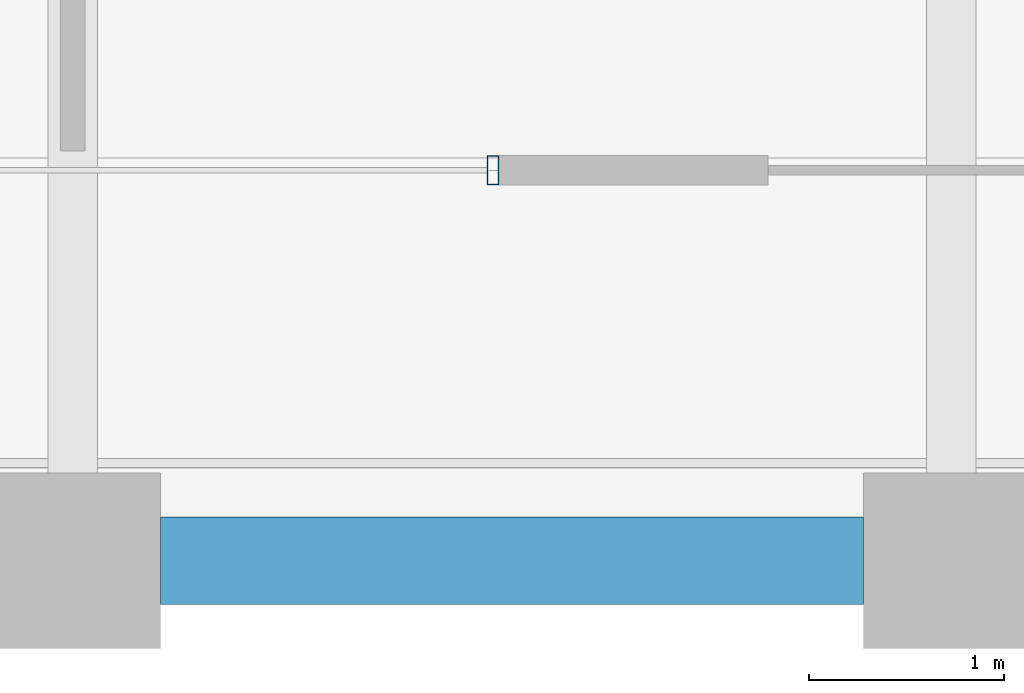
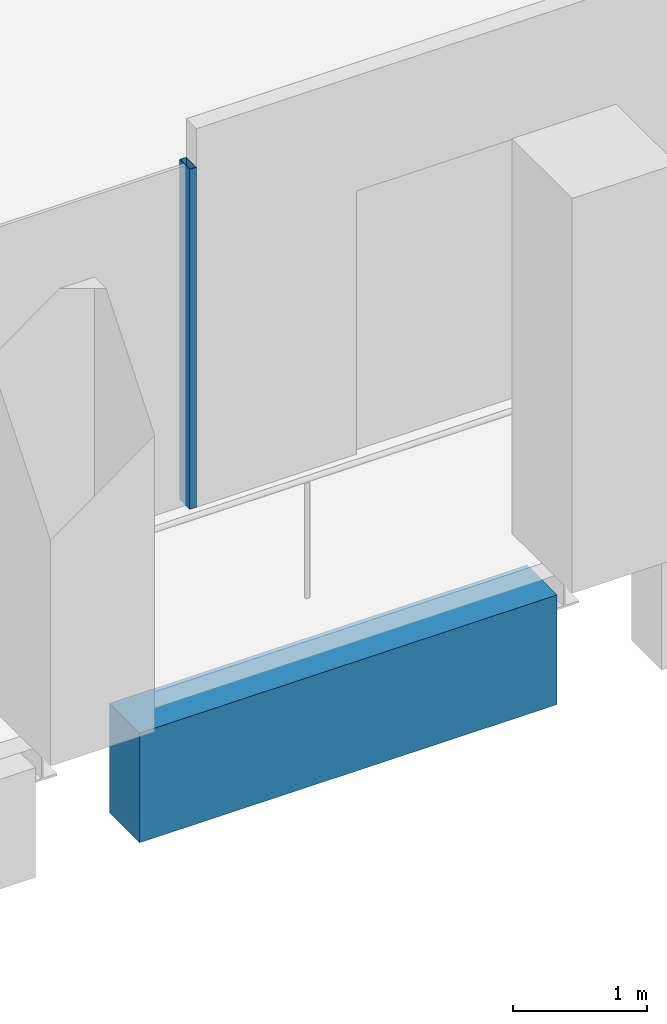
# One storey, part 7 of 40: 1 beam, 1 member, 1 element without a shape of its own.
"""IFC4 building model written with IfcOpenShell, lengths in metres."""

from ifc_helpers import new_model, si_unit, direction, frame, origin, origin_2d, place, context, subcontext, project, spatial, rectangle, hollow_rectangle, extrude, material, material_profile, profile_set, type_object, element, aggregate, save


model = new_model("IFC4")

# Units and contexts
model_context = context("Model", 3, precision=1e-05, world=origin(), true_north=direction((0.0, 1.0)))
body_context = subcontext(model_context, "Body", "Model", "MODEL_VIEW")
ifc_project = project(units=[si_unit("LENGTHUNIT", "METRE"), si_unit("AREAUNIT", "SQUARE_METRE"), si_unit("VOLUMEUNIT", "CUBIC_METRE"), si_unit("PLANEANGLEUNIT", "RADIAN"), si_unit("MASSUNIT", "GRAM", prefix="KILO")], contexts=[model_context])

# Site, building, storey
site_placement = place(None, origin())
site = spatial("IfcSite", under=ifc_project, at=site_placement, CompositionType="ELEMENT")
building_placement = place(site_placement, origin())
building = spatial("IfcBuilding", under=site, at=building_placement, Name="Altepetl Exchange Towers", CompositionType="ELEMENT")
storey_placement = place(building_placement, frame((0.0, 0.0, 161.800048828125)))
storey = spatial("IfcBuildingStorey", under=building, at=storey_placement, Name="L40", CompositionType="ELEMENT", Elevation=161.800048828125)

# Curtain wall, member
ifc_material_1 = material(Name="Aluminium 6063-T6 glazing", Category="aluminium")
curtain_wall_type = type_object("IfcCurtainWallType", Name="Loggia glazing system", PredefinedType="NOTDEFINED", material=ifc_material_1)
curtain_wall_placement = place(storey_placement, origin())
curtain_wall = element("IfcCurtainWall", 1, at=curtain_wall_placement, inside=storey, type_object=curtain_wall_type, Name="CW1 run", PredefinedType="NOTDEFINED")
ifc_material_2 = material(Name="Aluminium 6063-T6", Category="aluminium")
ifc_material_profile_1 = material_profile(ifc_material_2, hollow_rectangle(XDim=0.06005859375, YDim=0.14990234375, WallThickness=0.0029296875, at=origin_2d()), Name="Mullion 60x150 aluminium")
ifc_profile_set_1 = profile_set([ifc_material_profile_1], Name="Aluminium 6063-T6")
member_type = type_object("IfcMemberType", Name="Mullion 60x150 aluminium", PredefinedType="MULLION", material=ifc_profile_set_1)
member_placement = place(storey_placement, frame((47.152099609375, 29.0, 0.0)))
member = element("IfcMember", 2, at=member_placement, type_object=member_type, Name="MU1 mullion", PredefinedType="MULLION", context=body_context, shape_type="SweptSolid", body=[
    extrude(hollow_rectangle(XDim=0.06005859375, YDim=0.14990234375, WallThickness=0.0029296875, at=origin_2d()), origin(), (0.0, 0.0, 1.0), 3.099853515625),
])
aggregate(curtain_wall, [member])

# Beam
ifc_material_3 = material(Name="Concrete C50/60 precast with cantera blanca facing", Category="concrete")
ifc_material_profile_2 = material_profile(ifc_material_3, rectangle(XDim=0.449951171875, YDim=1.0, at=origin_2d()), Name="450 x 1000")
ifc_profile_set_2 = profile_set([ifc_material_profile_2], Name="Concrete C50/60 precast with cantera blanca facing")
beam_type = type_object("IfcBeamType", Name="Spandrel beam 450x1000 cantera blanca", PredefinedType="SPANDREL", material=ifc_profile_set_2)
beam_placement = place(storey_placement, frame((45.449951171875, 27.0, -0.650146484375), z_axis=(1.0, 0.0, 0.0), x_axis=(0.0, 1.0, 0.0)))
element("IfcBeam", 3, at=beam_placement, inside=storey, type_object=beam_type, Name="sp:A:L40:003", PredefinedType="SPANDREL", context=body_context, shape_type="SweptSolid", body=[
    extrude(rectangle(XDim=0.449951171875, YDim=1.0, at=origin_2d()), origin(), (0.0, 0.0, 1.0), 3.60009765625),
])

save(model, "model.ifc")
